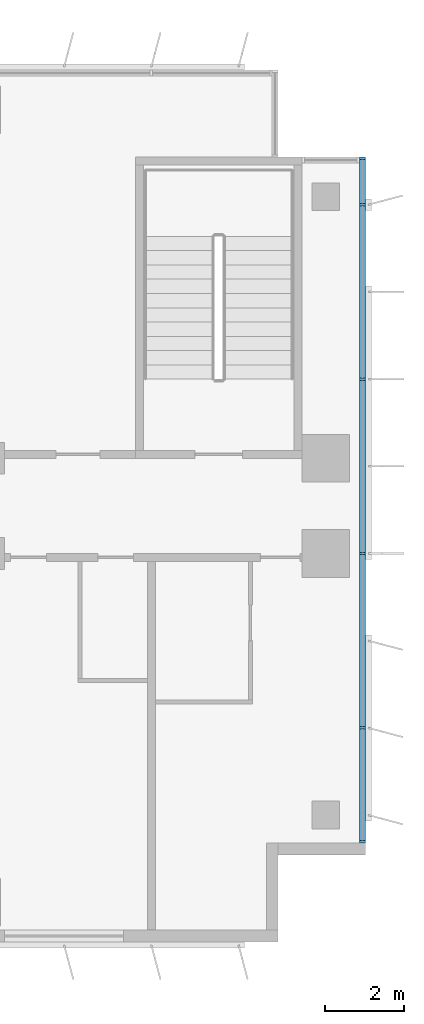
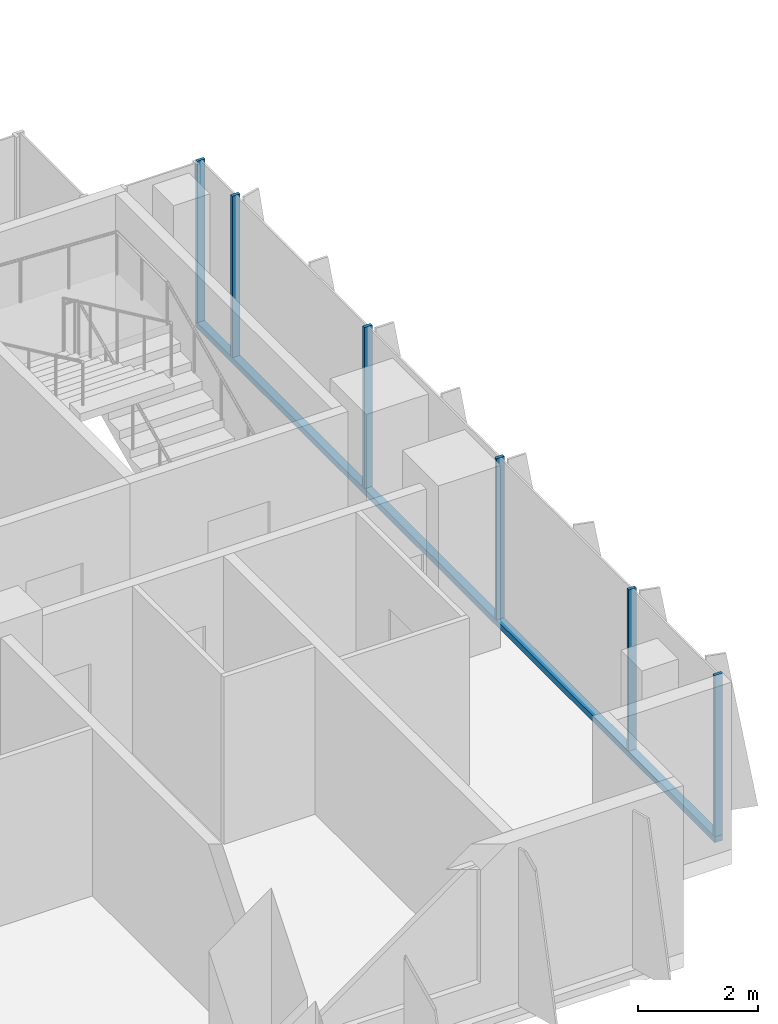
# One storey, part 8 of 23: 7 members, 1 element without a shape of its own.
"""IFC4 building model written with IfcOpenShell, lengths in metres."""

from ifc_helpers import new_model, si_unit, direction, frame, origin, origin_2d, place, context, subcontext, project, spatial, rectangle, extrude, source, transform, mapped, material, material_profile, profile_set, type_object, element, aggregate, save


model = new_model("IFC4")

# Units and contexts
model_context = context("Model", 3, precision=1e-05, world=origin(), true_north=direction((0.0, 1.0)))
body_context = subcontext(model_context, "Body", "Model", "MODEL_VIEW")
ifc_project = project(units=[si_unit("LENGTHUNIT", "METRE"), si_unit("AREAUNIT", "SQUARE_METRE"), si_unit("VOLUMEUNIT", "CUBIC_METRE"), si_unit("PLANEANGLEUNIT", "RADIAN"), si_unit("MASSUNIT", "GRAM", prefix="KILO")], contexts=[model_context])

# Site, building, storey
site_placement = place(None, origin())
site = spatial("IfcSite", under=ifc_project, at=site_placement, CompositionType="ELEMENT")
building_placement = place(site_placement, origin())
building = spatial("IfcBuilding", under=site, at=building_placement, Name="Kemantara Hotel Tower", CompositionType="ELEMENT")
storey_placement = place(building_placement, frame((0.0, 0.0, 118.5)))
storey = spatial("IfcBuildingStorey", under=building, at=storey_placement, Name="L28", CompositionType="ELEMENT", Elevation=118.5)

# Curtain wall, members
ifc_material_1 = material(Name="Low-E tinted double insulated glass 36 mm", Category="glass")
curtain_wall_type = type_object("IfcCurtainWallType", Name="TOWER CURTAIN WALL, FRONT FACES", PredefinedType="USERDEFINED", material=ifc_material_1)
curtain_wall_placement = place(storey_placement, origin())
curtain_wall = element("IfcCurtainWall", 1, at=curtain_wall_placement, inside=storey, type_object=curtain_wall_type, Name="CW4 L28 T2-R10-1", ObjectType="TOWER CURTAIN WALL, FRONT FACES", PredefinedType="USERDEFINED")
ifc_material_2 = material(Name="Aluminium 6063-T6 bronze anodised", Category="aluminium")
ifc_material_profile_1 = material_profile(ifc_material_2, rectangle(XDim=0.14990234375, YDim=0.1201171875, at=origin_2d()), Name="TOWER CURTAIN WALL, FRONT FACES TRANSOM")
ifc_profile_set_1 = profile_set([ifc_material_profile_1], Name="Aluminium 6063-T6 bronze anodised")
member_type_1 = type_object("IfcMemberType", Name="TOWER CURTAIN WALL, FRONT FACES TRANSOM", PredefinedType="USERDEFINED", material=ifc_profile_set_1)
member_1_placement = place(storey_placement, frame((63.52490234375, 2.5, 0.06005859375), z_axis=(0.0, 1.0, 0.0), x_axis=(-1.0, 0.0, 0.0)))
member_1 = element("IfcMember", 2, at=member_1_placement, type_object=member_type_1, Name="CW4 sill transom T2-R10-1", ObjectType="TRANSOM", PredefinedType="USERDEFINED", context=body_context, shape_type="SweptSolid", body=[
    extrude(rectangle(XDim=0.14990234375, YDim=0.1201171875, at=origin_2d()), origin(), (0.0, 0.0, 1.0), 17.300048828125),
])
ifc_material_profile_2 = material_profile(ifc_material_2, rectangle(XDim=0.14990234375, YDim=0.06005859375, at=origin_2d()), Name="TOWER CURTAIN WALL, FRONT FACES MULLION")
ifc_profile_set_2 = profile_set([ifc_material_profile_2], Name="Aluminium 6063-T6 bronze anodised")
member_type_2 = type_object("IfcMemberType", Name="TOWER CURTAIN WALL, FRONT FACES MULLION", PredefinedType="MULLION", material=ifc_profile_set_2)
shared_shape = source(origin(), body_context, "Body", "SweptSolid", [
    extrude(rectangle(XDim=0.14990234375, YDim=0.06005859375, at=origin_2d()), origin(), (0.0, 0.0, 1.0), 3.27978515625),
])
member_2_placement = place(storey_placement, frame((63.52490234375, 2.530029296875, 0.1201171875), z_axis=(0.0, 0.0, 1.0), x_axis=(-1.0, 0.0, 0.0)))
member_2 = element("IfcMember", 3, at=member_2_placement, type_object=member_type_2, Name="CW4 mullion T2-R10-1.1", PredefinedType="MULLION", context=body_context, shape_type="MappedRepresentation", body=[
    mapped(shared_shape, transform((0.0, 0.0, 0.0))),
])
member_3_placement = place(storey_placement, frame((63.52490234375, 5.39990234375, 0.1201171875), z_axis=(0.0, 0.0, 1.0), x_axis=(-1.0, 0.0, 0.0)))
member_3 = element("IfcMember", 4, at=member_3_placement, type_object=member_type_2, Name="CW4 mullion T2-R10-1.2", PredefinedType="MULLION", context=body_context, shape_type="MappedRepresentation", body=[
    mapped(shared_shape, transform((0.0, 0.0, 0.0))),
])
member_4_placement = place(storey_placement, frame((63.52490234375, 9.800048828125, 0.1201171875), z_axis=(0.0, 0.0, 1.0), x_axis=(-1.0, 0.0, 0.0)))
member_4 = element("IfcMember", 5, at=member_4_placement, type_object=member_type_2, Name="CW4 mullion T2-R10-1.3", PredefinedType="MULLION", context=body_context, shape_type="MappedRepresentation", body=[
    mapped(shared_shape, transform((0.0, 0.0, 0.0))),
])
member_5_placement = place(storey_placement, frame((63.52490234375, 14.199951171875, 0.1201171875), z_axis=(0.0, 0.0, 1.0), x_axis=(-1.0, 0.0, 0.0)))
member_5 = element("IfcMember", 6, at=member_5_placement, type_object=member_type_2, Name="CW4 mullion T2-R10-1.4", PredefinedType="MULLION", context=body_context, shape_type="MappedRepresentation", body=[
    mapped(shared_shape, transform((0.0, 0.0, 0.0))),
])
member_6_placement = place(storey_placement, frame((63.52490234375, 18.60009765625, 0.1201171875), z_axis=(0.0, 0.0, 1.0), x_axis=(-1.0, 0.0, 0.0)))
member_6 = element("IfcMember", 7, at=member_6_placement, type_object=member_type_2, Name="CW4 mullion T2-R10-1.5", PredefinedType="MULLION", context=body_context, shape_type="MappedRepresentation", body=[
    mapped(shared_shape, transform((0.0, 0.0, 0.0))),
])
member_7_placement = place(storey_placement, frame((63.52490234375, 19.77001953125, 0.1201171875), z_axis=(0.0, 0.0, 1.0), x_axis=(-1.0, 0.0, 0.0)))
member_7 = element("IfcMember", 8, at=member_7_placement, type_object=member_type_2, Name="CW4 mullion T2-R10-1.6", PredefinedType="MULLION", context=body_context, shape_type="MappedRepresentation", body=[
    mapped(shared_shape, transform((0.0, 0.0, 0.0))),
])
aggregate(curtain_wall, [member_1, member_2, member_3, member_4, member_5, member_6, member_7])

save(model, "model.ifc")
